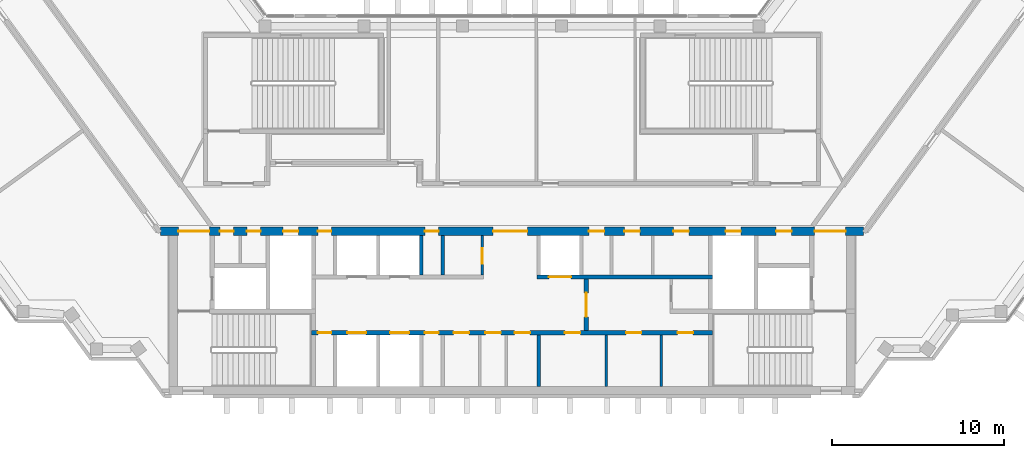
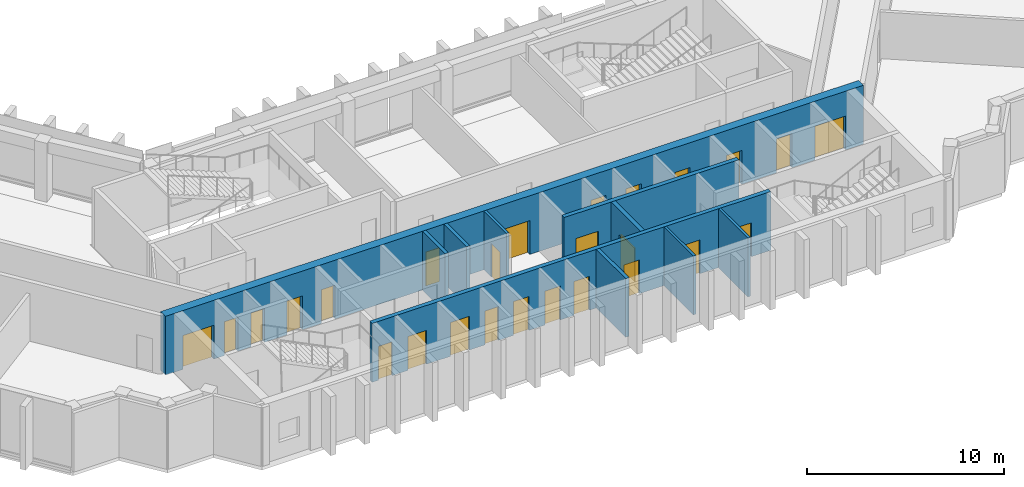
# One storey, part 5 of 9: 26 doors, 10 walls, 26 openings.
"""IFC4 building model written with IfcOpenShell, lengths in metres."""

from ifc_helpers import new_model, si_unit, direction, frame, frame_2d, origin, place, context, subcontext, project, spatial, rectangle, extrude, material, layer, layer_set, type_object, element, fill, save


model = new_model("IFC4")

# Units and contexts
model_context = context("Model", 3, precision=1e-05, world=origin(), true_north=direction((0.0, 1.0)))
body_context = subcontext(model_context, "Body", "Model", "MODEL_VIEW")
ifc_project = project(units=[si_unit("LENGTHUNIT", "METRE"), si_unit("AREAUNIT", "SQUARE_METRE"), si_unit("VOLUMEUNIT", "CUBIC_METRE"), si_unit("PLANEANGLEUNIT", "RADIAN"), si_unit("MASSUNIT", "GRAM", prefix="KILO")], contexts=[model_context])

# Site, building, storey
site_placement = place(None, origin())
site = spatial("IfcSite", under=ifc_project, at=site_placement, CompositionType="ELEMENT")
building_placement = place(site_placement, origin())
building = spatial("IfcBuilding", under=site, at=building_placement, Name="Quipu Civic Tower", CompositionType="ELEMENT")
storey_placement = place(building_placement, frame((0.0, 0.0, 331.0)))
storey = spatial("IfcBuildingStorey", under=building, at=storey_placement, Name="L77", CompositionType="ELEMENT", Elevation=331.0)

# Wall, openings, doors
ifc_material_1 = material(Name="Concrete C70/85", Category="concrete")
ifc_layer_1 = layer(ifc_material_1, 0.25)
ifc_layer_set_1 = layer_set([ifc_layer_1], Name="Concrete C70/85")
wall_type_1 = type_object("IfcWallType", Name="Core wall 250", PredefinedType="SHEAR", material=ifc_layer_set_1)
wall_1_placement = place(storey_placement, frame((11.699951171875, -7.375, 0.0), z_axis=(0.0, 0.0, 1.0), x_axis=(-1.0, 0.0, 0.0)))
wall_1 = element("IfcWall", 1, at=wall_1_placement, inside=storey, type_object=wall_type_1, Name="Core wall", PredefinedType="SHEAR", context=body_context, shape_type="SweptSolid", body=[
    extrude(rectangle(XDim=23.39990234375, YDim=0.25, at=frame_2d((11.699951171875, 0.0))), origin(), (0.0, 0.0, 1.0), 3.64990234375),
])
opening_1_placement = place(wall_1_placement, frame((22.22509765625, 0.0, 0.0)))
opening_1 = element("IfcOpeningElement", 2, at=opening_1_placement, cuts=wall_1, Name="Opening CD-01", PredefinedType="OPENING", context=body_context, shape_type="SweptSolid", body=[
    extrude(rectangle(XDim=0.800048828125, YDim=2.10009765625, at=frame_2d((0.39990234375, 1.050048828125))), frame((0.0, 0.135009765625, 0.0), z_axis=(0.0, -1.0, 0.0), x_axis=(1.0, 0.0, 0.0)), (0.0, 0.0, 1.0), 0.27001953125),
])
opening_2_placement = place(wall_1_placement, frame((20.199951171875, 0.0, 0.0)))
opening_2 = element("IfcOpeningElement", 3, at=opening_2_placement, cuts=wall_1, Name="Opening LD-HL1", PredefinedType="OPENING", context=body_context, shape_type="SweptSolid", body=[
    extrude(rectangle(XDim=1.10009765625, YDim=2.10009765625, at=frame_2d((0.550048828125, 1.050048828125))), frame((0.0, 0.135009765625, 0.0), z_axis=(0.0, -1.0, 0.0), x_axis=(1.0, 0.0, 0.0)), (0.0, 0.0, 1.0), 0.27001953125),
])
opening_3_placement = place(wall_1_placement, frame((17.699951171875, 0.0, 0.0)))
opening_3 = element("IfcOpeningElement", 4, at=opening_3_placement, cuts=wall_1, Name="Opening LD-HL2", PredefinedType="OPENING", context=body_context, shape_type="SweptSolid", body=[
    extrude(rectangle(XDim=1.10009765625, YDim=2.10009765625, at=frame_2d((0.550048828125, 1.050048828125))), frame((0.0, 0.135009765625, 0.0), z_axis=(0.0, -1.0, 0.0), x_axis=(1.0, 0.0, 0.0)), (0.0, 0.0, 1.0), 0.27001953125),
])
opening_4_placement = place(wall_1_placement, frame((15.97509765625, 0.0, 0.0)))
opening_4 = element("IfcOpeningElement", 5, at=opening_4_placement, cuts=wall_1, Name="Opening CD-02", PredefinedType="OPENING", context=body_context, shape_type="SweptSolid", body=[
    extrude(rectangle(XDim=0.800048828125, YDim=2.10009765625, at=frame_2d((0.39990234375, 1.050048828125))), frame((0.0, 0.135009765625, 0.0), z_axis=(0.0, -1.0, 0.0), x_axis=(1.0, 0.0, 0.0)), (0.0, 0.0, 1.0), 0.27001953125),
])
opening_5_placement = place(wall_1_placement, frame((14.199951171875, 0.0, 0.0)))
opening_5 = element("IfcOpeningElement", 6, at=opening_5_placement, cuts=wall_1, Name="Opening CD-03", PredefinedType="OPENING", context=body_context, shape_type="SweptSolid", body=[
    extrude(rectangle(XDim=0.89990234375, YDim=2.10009765625, at=frame_2d((0.449951171875, 1.050048828125))), frame((0.0, 0.135009765625, 0.0), z_axis=(0.0, -1.0, 0.0), x_axis=(1.0, 0.0, 0.0)), (0.0, 0.0, 1.0), 0.27001953125),
])
opening_6_placement = place(wall_1_placement, frame((12.35009765625, 0.0, 0.0)))
opening_6 = element("IfcOpeningElement", 7, at=opening_6_placement, cuts=wall_1, Name="Opening CD-04", PredefinedType="OPENING", context=body_context, shape_type="SweptSolid", body=[
    extrude(rectangle(XDim=0.89990234375, YDim=2.10009765625, at=frame_2d((0.449951171875, 1.050048828125))), frame((0.0, 0.135009765625, 0.0), z_axis=(0.0, -1.0, 0.0), x_axis=(1.0, 0.0, 0.0)), (0.0, 0.0, 1.0), 0.27001953125),
])
opening_7_placement = place(wall_1_placement, frame((10.64990234375, 0.0, 0.0)))
opening_7 = element("IfcOpeningElement", 8, at=opening_7_placement, cuts=wall_1, Name="Opening CD-05", PredefinedType="OPENING", context=body_context, shape_type="SweptSolid", body=[
    extrude(rectangle(XDim=0.89990234375, YDim=2.10009765625, at=frame_2d((0.449951171875, 1.050048828125))), frame((0.0, 0.135009765625, 0.0), z_axis=(0.0, -1.0, 0.0), x_axis=(1.0, 0.0, 0.0)), (0.0, 0.0, 1.0), 0.27001953125),
])
opening_8_placement = place(wall_1_placement, frame((7.712890625, 0.0, 0.0)))
opening_8 = element("IfcOpeningElement", 9, at=opening_8_placement, cuts=wall_1, Name="Opening CD-06", PredefinedType="OPENING", context=body_context, shape_type="SweptSolid", body=[
    extrude(rectangle(XDim=0.89990234375, YDim=2.10009765625, at=frame_2d((0.449951171875, 1.050048828125))), frame((0.0, 0.135009765625, 0.0), z_axis=(0.0, -1.0, 0.0), x_axis=(1.0, 0.0, 0.0)), (0.0, 0.0, 1.0), 0.27001953125),
])
opening_9_placement = place(wall_1_placement, frame((4.14990234375, 0.0, 0.0)))
opening_9 = element("IfcOpeningElement", 10, at=opening_9_placement, cuts=wall_1, Name="Opening CD-07", PredefinedType="OPENING", context=body_context, shape_type="SweptSolid", body=[
    extrude(rectangle(XDim=0.89990234375, YDim=2.10009765625, at=frame_2d((0.449951171875, 1.050048828125))), frame((0.0, 0.135009765625, 0.0), z_axis=(0.0, -1.0, 0.0), x_axis=(1.0, 0.0, 0.0)), (0.0, 0.0, 1.0), 0.27001953125),
])
opening_10_placement = place(wall_1_placement, frame((1.137939453125, 0.0, 0.0)))
opening_10 = element("IfcOpeningElement", 11, at=opening_10_placement, cuts=wall_1, Name="Opening CD-08", PredefinedType="OPENING", context=body_context, shape_type="SweptSolid", body=[
    extrude(rectangle(XDim=0.89990234375, YDim=2.10009765625, at=frame_2d((0.449951171875, 1.050048828125))), frame((0.0, 0.135009765625, 0.0), z_axis=(0.0, -1.0, 0.0), x_axis=(1.0, 0.0, 0.0)), (0.0, 0.0, 1.0), 0.27001953125),
])
ifc_material_2 = material(Name="Fire rated steel door", Category="steel")
door_type_1 = type_object("IfcDoorType", Name="Fire door FD60 800 x 2100", OperationType="NOTDEFINED", PredefinedType="DOOR", material=ifc_material_2)
door_1_placement = place(opening_1_placement, origin())
door_1 = element("IfcDoor", 12, at=door_1_placement, inside=storey, type_object=door_type_1, Name="Door", OperationType="SINGLE_SWING_RIGHT", OverallHeight=2.10009765625, OverallWidth=0.800048828125, PredefinedType="DOOR", context=body_context, shape_type="SweptSolid", body=[
    extrude(rectangle(XDim=0.800048828125, YDim=2.10009765625, at=frame_2d((0.39990234375, 1.050048828125))), frame((0.0, 0.02490234375, 0.0), z_axis=(0.0, -1.0, 0.0), x_axis=(1.0, 0.0, 0.0)), (0.0, 0.0, 1.0), 0.050048828125),
])
fill(opening_1, door_1)
door_2_placement = place(opening_4_placement, origin())
door_2 = element("IfcDoor", 13, at=door_2_placement, inside=storey, type_object=door_type_1, Name="Door", OperationType="SINGLE_SWING_RIGHT", OverallHeight=2.10009765625, OverallWidth=0.800048828125, PredefinedType="DOOR", context=body_context, shape_type="SweptSolid", body=[
    extrude(rectangle(XDim=0.800048828125, YDim=2.10009765625, at=frame_2d((0.39990234375, 1.050048828125))), frame((0.0, 0.02490234375, 0.0), z_axis=(0.0, -1.0, 0.0), x_axis=(1.0, 0.0, 0.0)), (0.0, 0.0, 1.0), 0.050048828125),
])
fill(opening_4, door_2)
ifc_material_3 = material(Name="Fire rated steel door", Category="steel")
door_type_2 = type_object("IfcDoorType", Name="Fire door FD60 900 x 2100", OperationType="NOTDEFINED", PredefinedType="DOOR", material=ifc_material_3)
door_3_placement = place(opening_5_placement, origin())
door_3 = element("IfcDoor", 14, at=door_3_placement, inside=storey, type_object=door_type_2, Name="WC door", OperationType="SINGLE_SWING_RIGHT", OverallHeight=2.10009765625, OverallWidth=0.89990234375, PredefinedType="DOOR", context=body_context, shape_type="SweptSolid", body=[
    extrude(rectangle(XDim=0.89990234375, YDim=2.10009765625, at=frame_2d((0.449951171875, 1.050048828125))), frame((0.0, 0.02490234375, 0.0), z_axis=(0.0, -1.0, 0.0), x_axis=(1.0, 0.0, 0.0)), (0.0, 0.0, 1.0), 0.050048828125),
])
fill(opening_5, door_3)
door_4_placement = place(opening_6_placement, origin())
door_4 = element("IfcDoor", 15, at=door_4_placement, inside=storey, type_object=door_type_2, Name="WC door", OperationType="SINGLE_SWING_RIGHT", OverallHeight=2.10009765625, OverallWidth=0.89990234375, PredefinedType="DOOR", context=body_context, shape_type="SweptSolid", body=[
    extrude(rectangle(XDim=0.89990234375, YDim=2.10009765625, at=frame_2d((0.449951171875, 1.050048828125))), frame((0.0, 0.02490234375, 0.0), z_axis=(0.0, -1.0, 0.0), x_axis=(1.0, 0.0, 0.0)), (0.0, 0.0, 1.0), 0.050048828125),
])
fill(opening_6, door_4)
door_5_placement = place(opening_7_placement, origin())
door_5 = element("IfcDoor", 16, at=door_5_placement, inside=storey, type_object=door_type_2, Name="WC door", OperationType="SINGLE_SWING_LEFT", OverallHeight=2.10009765625, OverallWidth=0.89990234375, PredefinedType="DOOR", context=body_context, shape_type="SweptSolid", body=[
    extrude(rectangle(XDim=0.89990234375, YDim=2.10009765625, at=frame_2d((0.449951171875, 1.050048828125))), frame((0.0, 0.02490234375, 0.0), z_axis=(0.0, -1.0, 0.0), x_axis=(1.0, 0.0, 0.0)), (0.0, 0.0, 1.0), 0.050048828125),
])
fill(opening_7, door_5)
door_6_placement = place(opening_8_placement, origin())
door_6 = element("IfcDoor", 17, at=door_6_placement, inside=storey, type_object=door_type_2, Name="Door", OperationType="SINGLE_SWING_LEFT", OverallHeight=2.10009765625, OverallWidth=0.89990234375, PredefinedType="DOOR", context=body_context, shape_type="SweptSolid", body=[
    extrude(rectangle(XDim=0.89990234375, YDim=2.10009765625, at=frame_2d((0.449951171875, 1.050048828125))), frame((0.0, 0.02490234375, 0.0), z_axis=(0.0, -1.0, 0.0), x_axis=(1.0, 0.0, 0.0)), (0.0, 0.0, 1.0), 0.050048828125),
])
fill(opening_8, door_6)
door_7_placement = place(opening_9_placement, origin())
door_7 = element("IfcDoor", 18, at=door_7_placement, inside=storey, type_object=door_type_2, Name="Door", OperationType="SINGLE_SWING_LEFT", OverallHeight=2.10009765625, OverallWidth=0.89990234375, PredefinedType="DOOR", context=body_context, shape_type="SweptSolid", body=[
    extrude(rectangle(XDim=0.89990234375, YDim=2.10009765625, at=frame_2d((0.449951171875, 1.050048828125))), frame((0.0, 0.02490234375, 0.0), z_axis=(0.0, -1.0, 0.0), x_axis=(1.0, 0.0, 0.0)), (0.0, 0.0, 1.0), 0.050048828125),
])
fill(opening_9, door_7)
door_8_placement = place(opening_10_placement, origin())
door_8 = element("IfcDoor", 19, at=door_8_placement, inside=storey, type_object=door_type_2, Name="Door", OperationType="SINGLE_SWING_LEFT", OverallHeight=2.10009765625, OverallWidth=0.89990234375, PredefinedType="DOOR", context=body_context, shape_type="SweptSolid", body=[
    extrude(rectangle(XDim=0.89990234375, YDim=2.10009765625, at=frame_2d((0.449951171875, 1.050048828125))), frame((0.0, 0.02490234375, 0.0), z_axis=(0.0, -1.0, 0.0), x_axis=(1.0, 0.0, 0.0)), (0.0, 0.0, 1.0), 0.050048828125),
])
fill(opening_10, door_8)
ifc_material_4 = material(Name="Stainless steel", Category="steel")
door_type_3 = type_object("IfcDoorType", Name="Lift landing door 1100 x 2100", OperationType="DOUBLE_DOOR_SLIDING", PredefinedType="DOOR", material=ifc_material_4)
door_9_placement = place(opening_2_placement, origin())
door_9 = element("IfcDoor", 20, at=door_9_placement, inside=storey, type_object=door_type_3, Name="Landing door HL1", OperationType="DOUBLE_DOOR_SLIDING", OverallHeight=2.10009765625, OverallWidth=1.10009765625, PredefinedType="DOOR", context=body_context, shape_type="SweptSolid", body=[
    extrude(rectangle(XDim=1.10009765625, YDim=2.10009765625, at=frame_2d((0.550048828125, 1.050048828125))), frame((0.0, 0.02490234375, 0.0), z_axis=(0.0, -1.0, 0.0), x_axis=(1.0, 0.0, 0.0)), (0.0, 0.0, 1.0), 0.050048828125),
])
fill(opening_2, door_9)
door_10_placement = place(opening_3_placement, origin())
door_10 = element("IfcDoor", 21, at=door_10_placement, inside=storey, type_object=door_type_3, Name="Landing door HL2", OperationType="DOUBLE_DOOR_SLIDING", OverallHeight=2.10009765625, OverallWidth=1.10009765625, PredefinedType="DOOR", context=body_context, shape_type="SweptSolid", body=[
    extrude(rectangle(XDim=1.10009765625, YDim=2.10009765625, at=frame_2d((0.550048828125, 1.050048828125))), frame((0.0, 0.02490234375, 0.0), z_axis=(0.0, -1.0, 0.0), x_axis=(1.0, 0.0, 0.0)), (0.0, 0.0, 1.0), 0.050048828125),
])
fill(opening_3, door_10)

# Wall, opening, door
wall_2_placement = place(storey_placement, frame((4.324951171875, -7.25, 0.0), z_axis=(0.0, 0.0, 1.0), x_axis=(0.0, 1.0, 0.0)))
wall_2 = element("IfcWall", 22, at=wall_2_placement, inside=storey, type_object=wall_type_1, Name="Core wall", PredefinedType="SHEAR", context=body_context, shape_type="SweptSolid", body=[
    extrude(rectangle(XDim=3.0, YDim=0.25, at=frame_2d((1.5, 0.0))), origin(), (0.0, 0.0, 1.0), 3.64990234375),
])
opening_11_placement = place(wall_2_placement, frame((0.800048828125, 0.0, 0.0)))
opening_11 = element("IfcOpeningElement", 23, at=opening_11_placement, cuts=wall_2, Name="Opening CD-11", PredefinedType="OPENING", context=body_context, shape_type="SweptSolid", body=[
    extrude(rectangle(XDim=1.39990234375, YDim=2.10009765625, at=frame_2d((0.699951171875, 1.050048828125))), frame((0.0, 0.135009765625, 0.0), z_axis=(0.0, -1.0, 0.0), x_axis=(1.0, 0.0, 0.0)), (0.0, 0.0, 1.0), 0.27001953125),
])
ifc_material_5 = material(Name="Fire rated steel door", Category="steel")
door_type_4 = type_object("IfcDoorType", Name="Fire door FD60 double 1400 x 2100", OperationType="NOTDEFINED", PredefinedType="DOOR", material=ifc_material_5)
door_11_placement = place(opening_11_placement, origin())
door_11 = element("IfcDoor", 24, at=door_11_placement, inside=storey, type_object=door_type_4, Name="Hall door", OperationType="DOUBLE_DOOR_SINGLE_SWING", OverallHeight=2.10009765625, OverallWidth=1.39990234375, PredefinedType="DOOR", context=body_context, shape_type="SweptSolid", body=[
    extrude(rectangle(XDim=1.39990234375, YDim=2.10009765625, at=frame_2d((0.699951171875, 1.050048828125))), frame((0.0, 0.02490234375, 0.0), z_axis=(0.0, -1.0, 0.0), x_axis=(1.0, 0.0, 0.0)), (0.0, 0.0, 1.0), 0.050048828125),
])
fill(opening_11, door_11)

wall_3_placement = place(storey_placement, frame((1.449951171875, -4.125, 0.0), z_axis=(0.0, 0.0, 1.0), x_axis=(1.0, 0.0, 0.0)))
wall_3 = element("IfcWall", 25, at=wall_3_placement, inside=storey, type_object=wall_type_1, Name="Core wall", PredefinedType="SHEAR", context=body_context, shape_type="SweptSolid", body=[
    extrude(rectangle(XDim=10.25, YDim=0.25, at=frame_2d((5.125, 0.0))), origin(), (0.0, 0.0, 1.0), 3.64990234375),
])
opening_12_placement = place(wall_3_placement, frame((0.699951171875, 0.0, 0.0)))
opening_12 = element("IfcOpeningElement", 26, at=opening_12_placement, cuts=wall_3, Name="Opening LD-FF3", PredefinedType="OPENING", context=body_context, shape_type="SweptSolid", body=[
    extrude(rectangle(XDim=1.300048828125, YDim=2.10009765625, at=frame_2d((0.64990234375, 1.050048828125))), frame((0.0, 0.135009765625, 0.0), z_axis=(0.0, -1.0, 0.0), x_axis=(1.0, 0.0, 0.0)), (0.0, 0.0, 1.0), 0.27001953125),
])
ifc_material_6 = material(Name="Stainless steel", Category="steel")
door_type_5 = type_object("IfcDoorType", Name="Lift landing door 1300 x 2100", OperationType="DOUBLE_DOOR_SLIDING", PredefinedType="DOOR", material=ifc_material_6)
door_12_placement = place(opening_12_placement, origin())
door_12 = element("IfcDoor", 27, at=door_12_placement, inside=storey, type_object=door_type_5, Name="Landing door FF3", OperationType="DOUBLE_DOOR_SLIDING", OverallHeight=2.10009765625, OverallWidth=1.300048828125, PredefinedType="DOOR", context=body_context, shape_type="SweptSolid", body=[
    extrude(rectangle(XDim=1.300048828125, YDim=2.10009765625, at=frame_2d((0.64990234375, 1.050048828125))), frame((0.0, 0.02490234375, 0.0), z_axis=(0.0, -1.0, 0.0), x_axis=(1.0, 0.0, 0.0)), (0.0, 0.0, 1.0), 0.050048828125),
])
fill(opening_12, door_12)

# Wall, openings, doors
ifc_material_7 = material(Name="Concrete C70/85", Category="concrete")
ifc_layer_2 = layer(ifc_material_7, 0.5)
ifc_layer_set_2 = layer_set([ifc_layer_2], Name="Concrete C70/85")
wall_type_2 = type_object("IfcWallType", Name="Core wall 500", PredefinedType="SHEAR", material=ifc_layer_set_2)
wall_4_placement = place(storey_placement, frame((20.489990234375, -1.449951171875, 0.0), z_axis=(0.0, 0.0, 1.0), x_axis=(-1.0, 0.0, 0.0)))
wall_4 = element("IfcWall", 28, at=wall_4_placement, inside=storey, type_object=wall_type_2, Name="Core wall", PredefinedType="SHEAR", context=body_context, shape_type="SweptSolid", body=[
    extrude(rectangle(XDim=40.97998046875, YDim=0.5, at=frame_2d((20.489990234375, 0.0))), origin(), (0.0, 0.0, 1.0), 3.64990234375),
])
opening_13_placement = place(wall_4_placement, frame((38.139892578125, 0.0, 0.0)))
opening_13 = element("IfcOpeningElement", 29, at=opening_13_placement, cuts=wall_4, Name="Opening CD-14", PredefinedType="OPENING", context=body_context, shape_type="SweptSolid", body=[
    extrude(rectangle(XDim=1.800048828125, YDim=2.10009765625, at=frame_2d((0.89990234375, 1.050048828125))), frame((0.0, 0.260009765625, 0.0), z_axis=(0.0, -1.0, 0.0), x_axis=(1.0, 0.0, 0.0)), (0.0, 0.0, 1.0), 0.52001953125),
])
opening_14_placement = place(wall_4_placement, frame((36.7275390625, 0.0, 0.0)))
opening_14 = element("IfcOpeningElement", 30, at=opening_14_placement, cuts=wall_4, Name="Opening CD-15", PredefinedType="OPENING", context=body_context, shape_type="SweptSolid", body=[
    extrude(rectangle(XDim=0.800048828125, YDim=2.10009765625, at=frame_2d((0.39990234375, 1.050048828125))), frame((0.0, 0.260009765625, 0.0), z_axis=(0.0, -1.0, 0.0), x_axis=(1.0, 0.0, 0.0)), (0.0, 0.0, 1.0), 0.52001953125),
])
opening_15_placement = place(wall_4_placement, frame((35.152587890625, 0.0, 0.0)))
opening_15 = element("IfcOpeningElement", 31, at=opening_15_placement, cuts=wall_4, Name="Opening CD-16", PredefinedType="OPENING", context=body_context, shape_type="SweptSolid", body=[
    extrude(rectangle(XDim=0.800048828125, YDim=2.10009765625, at=frame_2d((0.39990234375, 1.050048828125))), frame((0.0, 0.260009765625, 0.0), z_axis=(0.0, -1.0, 0.0), x_axis=(1.0, 0.0, 0.0)), (0.0, 0.0, 1.0), 0.52001953125),
])
opening_16_placement = place(wall_4_placement, frame((32.93994140625, 0.0, 0.0)))
opening_16 = element("IfcOpeningElement", 32, at=opening_16_placement, cuts=wall_4, Name="Opening CD-17", PredefinedType="OPENING", context=body_context, shape_type="SweptSolid", body=[
    extrude(rectangle(XDim=0.89990234375, YDim=2.10009765625, at=frame_2d((0.449951171875, 1.050048828125))), frame((0.0, 0.260009765625, 0.0), z_axis=(0.0, -1.0, 0.0), x_axis=(1.0, 0.0, 0.0)), (0.0, 0.0, 1.0), 0.52001953125),
])
opening_17_placement = place(wall_4_placement, frame((31.014892578125, 0.0, 0.0)))
opening_17 = element("IfcOpeningElement", 33, at=opening_17_placement, cuts=wall_4, Name="Opening CD-18", PredefinedType="OPENING", context=body_context, shape_type="SweptSolid", body=[
    extrude(rectangle(XDim=0.800048828125, YDim=2.10009765625, at=frame_2d((0.39990234375, 1.050048828125))), frame((0.0, 0.260009765625, 0.0), z_axis=(0.0, -1.0, 0.0), x_axis=(1.0, 0.0, 0.0)), (0.0, 0.0, 1.0), 0.52001953125),
])
opening_18_placement = place(wall_4_placement, frame((24.764892578125, 0.0, 0.0)))
opening_18 = element("IfcOpeningElement", 34, at=opening_18_placement, cuts=wall_4, Name="Opening CD-19", PredefinedType="OPENING", context=body_context, shape_type="SweptSolid", body=[
    extrude(rectangle(XDim=0.800048828125, YDim=2.10009765625, at=frame_2d((0.39990234375, 1.050048828125))), frame((0.0, 0.260009765625, 0.0), z_axis=(0.0, -1.0, 0.0), x_axis=(1.0, 0.0, 0.0)), (0.0, 0.0, 1.0), 0.52001953125),
])
opening_19_placement = place(wall_4_placement, frame((19.590087890625, 0.0, 0.0)))
opening_19 = element("IfcOpeningElement", 35, at=opening_19_placement, cuts=wall_4, Name="Opening CD-20", PredefinedType="OPENING", context=body_context, shape_type="SweptSolid", body=[
    extrude(rectangle(XDim=2.0, YDim=2.10009765625, at=frame_2d((1.0, 1.050048828125))), frame((0.0, 0.260009765625, 0.0), z_axis=(0.0, -1.0, 0.0), x_axis=(1.0, 0.0, 0.0)), (0.0, 0.0, 1.0), 0.52001953125),
])
opening_20_placement = place(wall_4_placement, frame((15.1025390625, 0.0, 0.0)))
opening_20 = element("IfcOpeningElement", 36, at=opening_20_placement, cuts=wall_4, Name="Opening CD-21", PredefinedType="OPENING", context=body_context, shape_type="SweptSolid", body=[
    extrude(rectangle(XDim=0.89990234375, YDim=2.10009765625, at=frame_2d((0.449951171875, 1.050048828125))), frame((0.0, 0.260009765625, 0.0), z_axis=(0.0, -1.0, 0.0), x_axis=(1.0, 0.0, 0.0)), (0.0, 0.0, 1.0), 0.52001953125),
])
opening_21_placement = place(wall_4_placement, frame((13.0400390625, 0.0, 0.0)))
opening_21 = element("IfcOpeningElement", 37, at=opening_21_placement, cuts=wall_4, Name="Opening CD-22", PredefinedType="OPENING", context=body_context, shape_type="SweptSolid", body=[
    extrude(rectangle(XDim=0.89990234375, YDim=2.10009765625, at=frame_2d((0.449951171875, 1.050048828125))), frame((0.0, 0.260009765625, 0.0), z_axis=(0.0, -1.0, 0.0), x_axis=(1.0, 0.0, 0.0)), (0.0, 0.0, 1.0), 0.52001953125),
])
opening_22_placement = place(wall_4_placement, frame((10.177490234375, 0.0, 0.0)))
opening_22 = element("IfcOpeningElement", 38, at=opening_22_placement, cuts=wall_4, Name="Opening CD-23", PredefinedType="OPENING", context=body_context, shape_type="SweptSolid", body=[
    extrude(rectangle(XDim=0.89990234375, YDim=2.10009765625, at=frame_2d((0.449951171875, 1.050048828125))), frame((0.0, 0.260009765625, 0.0), z_axis=(0.0, -1.0, 0.0), x_axis=(1.0, 0.0, 0.0)), (0.0, 0.0, 1.0), 0.52001953125),
])
opening_23_placement = place(wall_4_placement, frame((7.139892578125, 0.0, 0.0)))
opening_23 = element("IfcOpeningElement", 39, at=opening_23_placement, cuts=wall_4, Name="Opening CD-24", PredefinedType="OPENING", context=body_context, shape_type="SweptSolid", body=[
    extrude(rectangle(XDim=0.89990234375, YDim=2.10009765625, at=frame_2d((0.449951171875, 1.050048828125))), frame((0.0, 0.260009765625, 0.0), z_axis=(0.0, -1.0, 0.0), x_axis=(1.0, 0.0, 0.0)), (0.0, 0.0, 1.0), 0.52001953125),
])
opening_24_placement = place(wall_4_placement, frame((4.18994140625, 0.0, 0.0)))
opening_24 = element("IfcOpeningElement", 40, at=opening_24_placement, cuts=wall_4, Name="Opening CD-25", PredefinedType="OPENING", context=body_context, shape_type="SweptSolid", body=[
    extrude(rectangle(XDim=0.89990234375, YDim=2.10009765625, at=frame_2d((0.449951171875, 1.050048828125))), frame((0.0, 0.260009765625, 0.0), z_axis=(0.0, -1.0, 0.0), x_axis=(1.0, 0.0, 0.0)), (0.0, 0.0, 1.0), 0.52001953125),
])
opening_25_placement = place(wall_4_placement, frame((1.0400390625, 0.0, 0.0)))
opening_25 = element("IfcOpeningElement", 41, at=opening_25_placement, cuts=wall_4, Name="Opening CD-26", PredefinedType="OPENING", context=body_context, shape_type="SweptSolid", body=[
    extrude(rectangle(XDim=1.800048828125, YDim=2.10009765625, at=frame_2d((0.89990234375, 1.050048828125))), frame((0.0, 0.260009765625, 0.0), z_axis=(0.0, -1.0, 0.0), x_axis=(1.0, 0.0, 0.0)), (0.0, 0.0, 1.0), 0.52001953125),
])
door_13_placement = place(opening_14_placement, origin())
door_13 = element("IfcDoor", 42, at=door_13_placement, inside=storey, type_object=door_type_1, Name="Door", OperationType="SINGLE_SWING_RIGHT", OverallHeight=2.10009765625, OverallWidth=0.800048828125, PredefinedType="DOOR", context=body_context, shape_type="SweptSolid", body=[
    extrude(rectangle(XDim=0.800048828125, YDim=2.10009765625, at=frame_2d((0.39990234375, 1.050048828125))), frame((0.0, 0.02490234375, 0.0), z_axis=(0.0, -1.0, 0.0), x_axis=(1.0, 0.0, 0.0)), (0.0, 0.0, 1.0), 0.050048828125),
])
fill(opening_14, door_13)
door_14_placement = place(opening_15_placement, origin())
door_14 = element("IfcDoor", 43, at=door_14_placement, inside=storey, type_object=door_type_1, Name="Door", OperationType="SINGLE_SWING_RIGHT", OverallHeight=2.10009765625, OverallWidth=0.800048828125, PredefinedType="DOOR", context=body_context, shape_type="SweptSolid", body=[
    extrude(rectangle(XDim=0.800048828125, YDim=2.10009765625, at=frame_2d((0.39990234375, 1.050048828125))), frame((0.0, 0.02490234375, 0.0), z_axis=(0.0, -1.0, 0.0), x_axis=(1.0, 0.0, 0.0)), (0.0, 0.0, 1.0), 0.050048828125),
])
fill(opening_15, door_14)
door_15_placement = place(opening_17_placement, origin())
door_15 = element("IfcDoor", 44, at=door_15_placement, inside=storey, type_object=door_type_1, Name="Door", OperationType="SINGLE_SWING_RIGHT", OverallHeight=2.10009765625, OverallWidth=0.800048828125, PredefinedType="DOOR", context=body_context, shape_type="SweptSolid", body=[
    extrude(rectangle(XDim=0.800048828125, YDim=2.10009765625, at=frame_2d((0.39990234375, 1.050048828125))), frame((0.0, 0.02490234375, 0.0), z_axis=(0.0, -1.0, 0.0), x_axis=(1.0, 0.0, 0.0)), (0.0, 0.0, 1.0), 0.050048828125),
])
fill(opening_17, door_15)
door_16_placement = place(opening_18_placement, origin())
door_16 = element("IfcDoor", 45, at=door_16_placement, inside=storey, type_object=door_type_1, Name="Door", OperationType="SINGLE_SWING_RIGHT", OverallHeight=2.10009765625, OverallWidth=0.800048828125, PredefinedType="DOOR", context=body_context, shape_type="SweptSolid", body=[
    extrude(rectangle(XDim=0.800048828125, YDim=2.10009765625, at=frame_2d((0.39990234375, 1.050048828125))), frame((0.0, 0.02490234375, 0.0), z_axis=(0.0, -1.0, 0.0), x_axis=(1.0, 0.0, 0.0)), (0.0, 0.0, 1.0), 0.050048828125),
])
fill(opening_18, door_16)
door_17_placement = place(opening_16_placement, origin())
door_17 = element("IfcDoor", 46, at=door_17_placement, inside=storey, type_object=door_type_2, Name="Riser door", OperationType="SINGLE_SWING_RIGHT", OverallHeight=2.10009765625, OverallWidth=0.89990234375, PredefinedType="DOOR", context=body_context, shape_type="SweptSolid", body=[
    extrude(rectangle(XDim=0.89990234375, YDim=2.10009765625, at=frame_2d((0.449951171875, 1.050048828125))), frame((0.0, 0.02490234375, 0.0), z_axis=(0.0, -1.0, 0.0), x_axis=(1.0, 0.0, 0.0)), (0.0, 0.0, 1.0), 0.050048828125),
])
fill(opening_16, door_17)
door_18_placement = place(opening_20_placement, origin())
door_18 = element("IfcDoor", 47, at=door_18_placement, inside=storey, type_object=door_type_2, Name="Door", OperationType="SINGLE_SWING_LEFT", OverallHeight=2.10009765625, OverallWidth=0.89990234375, PredefinedType="DOOR", context=body_context, shape_type="SweptSolid", body=[
    extrude(rectangle(XDim=0.89990234375, YDim=2.10009765625, at=frame_2d((0.449951171875, 1.050048828125))), frame((0.0, 0.02490234375, 0.0), z_axis=(0.0, -1.0, 0.0), x_axis=(1.0, 0.0, 0.0)), (0.0, 0.0, 1.0), 0.050048828125),
])
fill(opening_20, door_18)
door_19_placement = place(opening_21_placement, origin())
door_19 = element("IfcDoor", 48, at=door_19_placement, inside=storey, type_object=door_type_2, Name="Door", OperationType="SINGLE_SWING_LEFT", OverallHeight=2.10009765625, OverallWidth=0.89990234375, PredefinedType="DOOR", context=body_context, shape_type="SweptSolid", body=[
    extrude(rectangle(XDim=0.89990234375, YDim=2.10009765625, at=frame_2d((0.449951171875, 1.050048828125))), frame((0.0, 0.02490234375, 0.0), z_axis=(0.0, -1.0, 0.0), x_axis=(1.0, 0.0, 0.0)), (0.0, 0.0, 1.0), 0.050048828125),
])
fill(opening_21, door_19)
door_20_placement = place(opening_22_placement, origin())
door_20 = element("IfcDoor", 49, at=door_20_placement, inside=storey, type_object=door_type_2, Name="Door", OperationType="SINGLE_SWING_LEFT", OverallHeight=2.10009765625, OverallWidth=0.89990234375, PredefinedType="DOOR", context=body_context, shape_type="SweptSolid", body=[
    extrude(rectangle(XDim=0.89990234375, YDim=2.10009765625, at=frame_2d((0.449951171875, 1.050048828125))), frame((0.0, 0.02490234375, 0.0), z_axis=(0.0, -1.0, 0.0), x_axis=(1.0, 0.0, 0.0)), (0.0, 0.0, 1.0), 0.050048828125),
])
fill(opening_22, door_20)
door_21_placement = place(opening_23_placement, origin())
door_21 = element("IfcDoor", 50, at=door_21_placement, inside=storey, type_object=door_type_2, Name="Riser door", OperationType="SINGLE_SWING_LEFT", OverallHeight=2.10009765625, OverallWidth=0.89990234375, PredefinedType="DOOR", context=body_context, shape_type="SweptSolid", body=[
    extrude(rectangle(XDim=0.89990234375, YDim=2.10009765625, at=frame_2d((0.449951171875, 1.050048828125))), frame((0.0, 0.02490234375, 0.0), z_axis=(0.0, -1.0, 0.0), x_axis=(1.0, 0.0, 0.0)), (0.0, 0.0, 1.0), 0.050048828125),
])
fill(opening_23, door_21)
door_22_placement = place(opening_24_placement, origin())
door_22 = element("IfcDoor", 51, at=door_22_placement, inside=storey, type_object=door_type_2, Name="Door", OperationType="SINGLE_SWING_LEFT", OverallHeight=2.10009765625, OverallWidth=0.89990234375, PredefinedType="DOOR", context=body_context, shape_type="SweptSolid", body=[
    extrude(rectangle(XDim=0.89990234375, YDim=2.10009765625, at=frame_2d((0.449951171875, 1.050048828125))), frame((0.0, 0.02490234375, 0.0), z_axis=(0.0, -1.0, 0.0), x_axis=(1.0, 0.0, 0.0)), (0.0, 0.0, 1.0), 0.050048828125),
])
fill(opening_24, door_22)
ifc_material_8 = material(Name="Fire rated steel door", Category="steel")
door_type_6 = type_object("IfcDoorType", Name="Fire door FD90 double 1800 x 2100", OperationType="NOTDEFINED", PredefinedType="DOOR", material=ifc_material_8)
door_23_placement = place(opening_13_placement, origin())
door_23 = element("IfcDoor", 52, at=door_23_placement, inside=storey, type_object=door_type_6, Name="Lobby door", OperationType="DOUBLE_DOOR_SINGLE_SWING", OverallHeight=2.10009765625, OverallWidth=1.800048828125, PredefinedType="DOOR", context=body_context, shape_type="SweptSolid", body=[
    extrude(rectangle(XDim=1.800048828125, YDim=2.10009765625, at=frame_2d((0.89990234375, 1.050048828125))), frame((0.0, 0.02490234375, 0.0), z_axis=(0.0, -1.0, 0.0), x_axis=(1.0, 0.0, 0.0)), (0.0, 0.0, 1.0), 0.050048828125),
])
fill(opening_13, door_23)
door_24_placement = place(opening_25_placement, origin())
door_24 = element("IfcDoor", 53, at=door_24_placement, inside=storey, type_object=door_type_6, Name="Lobby door", OperationType="DOUBLE_DOOR_SINGLE_SWING", OverallHeight=2.10009765625, OverallWidth=1.800048828125, PredefinedType="DOOR", context=body_context, shape_type="SweptSolid", body=[
    extrude(rectangle(XDim=1.800048828125, YDim=2.10009765625, at=frame_2d((0.89990234375, 1.050048828125))), frame((0.0, 0.02490234375, 0.0), z_axis=(0.0, -1.0, 0.0), x_axis=(1.0, 0.0, 0.0)), (0.0, 0.0, 1.0), 0.050048828125),
])
fill(opening_25, door_24)
ifc_material_9 = material(Name="Fire rated steel door", Category="steel")
door_type_7 = type_object("IfcDoorType", Name="Fire door FD90 double 2000 x 2100", OperationType="NOTDEFINED", PredefinedType="DOOR", material=ifc_material_9)
door_25_placement = place(opening_19_placement, origin())
door_25 = element("IfcDoor", 54, at=door_25_placement, inside=storey, type_object=door_type_7, Name="Lobby door", OperationType="DOUBLE_DOOR_SINGLE_SWING", OverallHeight=2.10009765625, OverallWidth=2.0, PredefinedType="DOOR", context=body_context, shape_type="SweptSolid", body=[
    extrude(rectangle(XDim=2.0, YDim=2.10009765625, at=frame_2d((1.0, 1.050048828125))), frame((0.0, 0.02490234375, 0.0), z_axis=(0.0, -1.0, 0.0), x_axis=(1.0, 0.0, 0.0)), (0.0, 0.0, 1.0), 0.050048828125),
])
fill(opening_19, door_25)

# Walls
ifc_material_10 = material(Name="Gypsum board partition")
ifc_layer_3 = layer(ifc_material_10, 0.14990234375)
ifc_layer_set_3 = layer_set([ifc_layer_3], Name="Gypsum board partition")
wall_type_3 = type_object("IfcWallType", Name="Partition 150", PredefinedType="PARTITIONING", material=ifc_layer_set_3)
for number, where, z_axis, x_axis, name in (
    (55, (5.5, -10.5, 0.0), (0.0, 0.0, 1.0), (0.0, 1.0, 0.0), "Partition"),
    (56, (8.699951171875, -10.5, 0.0), (0.0, 0.0, 1.0), (0.0, 1.0, 0.0), "Partition"),
):
    element("IfcWall", number, at=place(storey_placement, frame(where, z_axis=z_axis, x_axis=x_axis)), inside=storey, type_object=wall_type_3, Name=name, PredefinedType="PARTITIONING", context=body_context, shape_type="SweptSolid", body=[
        extrude(rectangle(XDim=3.0, YDim=0.14990234375, at=frame_2d((1.5, 0.0))), origin(), (0.0, 0.0, 1.0), 3.64990234375),
    ])

# Wall, opening, door
wall_5_placement = place(storey_placement, frame((-1.72509765625, -1.699951171875, 0.0), z_axis=(0.0, 0.0, 1.0), x_axis=(0.0, -1.0, 0.0)))
wall_5 = element("IfcWall", 57, at=wall_5_placement, inside=storey, type_object=wall_type_3, Name="Partition", PredefinedType="PARTITIONING", context=body_context, shape_type="SweptSolid", body=[
    extrude(rectangle(XDim=2.300048828125, YDim=0.14990234375, at=frame_2d((1.14990234375, 0.0))), origin(), (0.0, 0.0, 1.0), 3.64990234375),
])
opening_26_placement = place(wall_5_placement, frame((0.75, 0.0, 0.0)))
opening_26 = element("IfcOpeningElement", 58, at=opening_26_placement, cuts=wall_5, Name="Opening CD-13", PredefinedType="OPENING", context=body_context, shape_type="SweptSolid", body=[
    extrude(rectangle(XDim=0.89990234375, YDim=2.10009765625, at=frame_2d((0.449951171875, 1.050048828125))), frame((0.0, 0.0849609375, 0.0), z_axis=(0.0, -1.0, 0.0), x_axis=(1.0, 0.0, 0.0)), (0.0, 0.0, 1.0), 0.169921875),
])
door_26_placement = place(opening_26_placement, origin())
door_26 = element("IfcDoor", 59, at=door_26_placement, inside=storey, type_object=door_type_2, Name="WC door", OperationType="SINGLE_SWING_RIGHT", OverallHeight=2.10009765625, OverallWidth=0.89990234375, PredefinedType="DOOR", context=body_context, shape_type="SweptSolid", body=[
    extrude(rectangle(XDim=0.89990234375, YDim=2.10009765625, at=frame_2d((0.449951171875, 1.050048828125))), frame((0.0, 0.02490234375, 0.0), z_axis=(0.0, -1.0, 0.0), x_axis=(1.0, 0.0, 0.0)), (0.0, 0.0, 1.0), 0.050048828125),
])
fill(opening_26, door_26)

# Walls
ifc_material_11 = material(Name="Concrete C40/50", Category="concrete")
ifc_layer_4 = layer(ifc_material_11, 0.199951171875)
ifc_layer_set_4 = layer_set([ifc_layer_4], Name="Concrete C40/50")
wall_type_4 = type_object("IfcWallType", Name="Shaft wall 200", PredefinedType="SOLIDWALL", material=ifc_layer_set_4)
wall_6_placement = place(storey_placement, frame((1.550048828125, -10.5, 0.0), z_axis=(0.0, 0.0, 1.0), x_axis=(0.0, 1.0, 0.0)))
element("IfcWall", 60, at=wall_6_placement, inside=storey, type_object=wall_type_4, Name="Shaft wall", PredefinedType="SOLIDWALL", context=body_context, shape_type="SweptSolid", body=[
    extrude(rectangle(XDim=3.0, YDim=0.199951171875, at=frame_2d((1.5, 0.0))), origin(), (0.0, 0.0, 1.0), 3.64990234375),
])
for number, where, z_axis, x_axis, name in (
    (61, (-5.300048828125, -4.0, 0.0), (0.0, 0.0, 1.0), (0.0, 1.0, 0.0), "Shaft wall"),
    (62, (-4.050048828125, -4.0, 0.0), (0.0, 0.0, 1.0), (0.0, 1.0, 0.0), "Shaft wall"),
):
    element("IfcWall", number, at=place(storey_placement, frame(where, z_axis=z_axis, x_axis=x_axis)), inside=storey, type_object=wall_type_4, Name=name, PredefinedType="SOLIDWALL", context=body_context, shape_type="SweptSolid", body=[
        extrude(rectangle(XDim=2.300048828125, YDim=0.199951171875, at=frame_2d((1.14990234375, 0.0))), origin(), (0.0, 0.0, 1.0), 3.64990234375),
    ])

save(model, "model.ifc")
